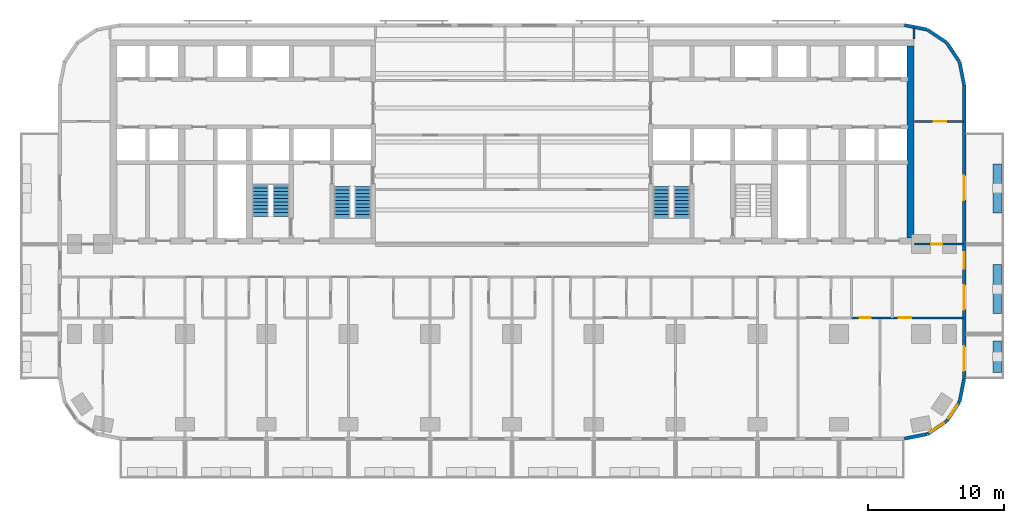
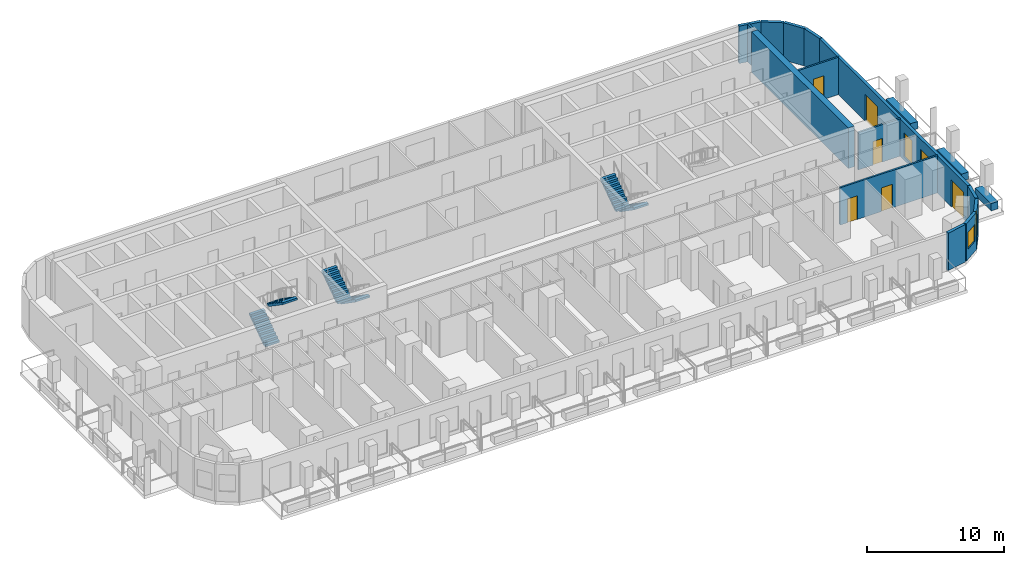
# One storey, part 9 of 15: 17 walls, 7 doors, 6 stair flights, 3 windows, 10 openings, 3 elements without a shape of their own.
"""IFC4 building model written with IfcOpenShell, lengths in metres."""

from ifc_helpers import new_model, si_unit, direction, frame, frame_2d, origin, place, context, subcontext, project, spatial, polyline, rectangle, outline, extrude, material, layer, layer_set, type_object, element, fill, aggregate, save


model = new_model("IFC4")

# Units and contexts
model_context = context("Model", 3, precision=1e-05, world=origin(), true_north=direction((0.0, 1.0)))
body_context = subcontext(model_context, "Body", "Model", "MODEL_VIEW")
ifc_project = project(units=[si_unit("LENGTHUNIT", "METRE"), si_unit("AREAUNIT", "SQUARE_METRE"), si_unit("VOLUMEUNIT", "CUBIC_METRE"), si_unit("PLANEANGLEUNIT", "RADIAN"), si_unit("MASSUNIT", "GRAM", prefix="KILO")], contexts=[model_context])

# Site, building, storey
site_placement = place(None, origin())
site = spatial("IfcSite", under=ifc_project, at=site_placement, CompositionType="ELEMENT")
building_placement = place(site_placement, origin())
building = spatial("IfcBuilding", under=site, at=building_placement, Name="Torana Hotel and Residences", CompositionType="ELEMENT")
storey_placement = place(building_placement, frame((0.0, 0.0, 52.800048828125)))
storey = spatial("IfcBuildingStorey", under=building, at=storey_placement, Name="L12", CompositionType="ELEMENT", Elevation=52.800048828125)

# Walls
ifc_material_1 = material(Name="Concrete C80/95", Category="concrete")
ifc_layer_1 = layer(ifc_material_1, 0.5)
ifc_layer_set_1 = layer_set([ifc_layer_1], Name="CORE WALL 500 C80/95")
wall_type_1 = type_object("IfcWallType", Name="CORE WALL 500 C80/95", PredefinedType="SHEAR", material=ifc_layer_set_1)
wall_1_placement = place(storey_placement, frame((29.25, -14.550048828125, 0.0), z_axis=(0.0, 0.0, 1.0), x_axis=(0.0, 1.0, 0.0)))
element("IfcWall", 1, at=wall_1_placement, inside=storey, type_object=wall_type_1, Name="Core wall E outer", PredefinedType="SHEAR", context=body_context, shape_type="SweptSolid", body=[
    extrude(rectangle(XDim=14.10009765625, YDim=0.5, at=frame_2d((7.050048828125, 0.0))), origin(), (0.0, 0.0, 1.0), 3.599853515625),
])
ifc_material_2 = material(Name="Black aluminium composite panel", Category="aluminium")
ifc_layer_2 = layer(ifc_material_2, 0.00390625, Name="Cladding", Category="cladding")
ifc_material_3 = material(Name="Ventilated air cavity")
ifc_layer_3 = layer(ifc_material_3, 0.0400390625, Name="Ventilated cavity", Category="cavity")
ifc_material_4 = material(Name="Mineral wool insulation")
ifc_layer_4 = layer(ifc_material_4, 0.090087890625, Name="Insulation", Category="insulation")
ifc_material_5 = material(Name="Steel S280GD", Category="steel")
ifc_layer_5 = layer(ifc_material_5, 0.092041015625, Name="Steel stud frame", Category="structure")
ifc_material_6 = material(Name="Fire rated plasterboard")
ifc_layer_6 = layer(ifc_material_6, 0.011962890625, Name="Inner board", Category="finish")
ifc_layer_7 = layer(ifc_material_6, 0.011962890625, Name="Second board", Category="finish")
ifc_layer_set_2 = layer_set([ifc_layer_2, ifc_layer_3, ifc_layer_4, ifc_layer_5, ifc_layer_6, ifc_layer_7], Name="EW1 EXTERNAL WALL BLACK METAL CLAD 250")
wall_type_2 = type_object("IfcWallType", Name="EW1 EXTERNAL WALL BLACK METAL CLAD 250", PredefinedType="SOLIDWALL", material=ifc_layer_set_2)
wall_2_placement = place(storey_placement, frame((33.172607421875, -3.30029296875, 0.0), z_axis=(0.0, 0.0, 1.0), x_axis=(-0.19513878023, 0.980775640221, 0.0)))
element("IfcWall", 2, at=wall_2_placement, inside=storey, type_object=wall_type_2, Name="External wall L12 e0.0", PredefinedType="SOLIDWALL", context=body_context, shape_type="SweptSolid", body=[
    extrude(rectangle(XDim=1.681396484375, YDim=0.25, at=frame_2d((0.8408203125, 0.0))), origin(), (0.0, 0.0, 1.0), 3.320068359375),
])
for number, where, z_axis, x_axis, name in (
    (3, (32.825927734375, -1.60595703125, 0.0), (0.0, 0.0, 1.0), (-0.55555029066, 0.831482937015, 0.0), "External wall L12 e0.1"),
    (4, (31.87109375, -0.1943359375, 0.0), (0.0, 0.0, 1.0), (-0.831482937015, 0.55555029066, 0.0), "External wall L12 e0.2"),
):
    element("IfcWall", number, at=place(storey_placement, frame(where, z_axis=z_axis, x_axis=x_axis)), inside=storey, type_object=wall_type_2, Name=name, PredefinedType="SOLIDWALL", context=body_context, shape_type="SweptSolid", body=[
        extrude(rectangle(XDim=1.65625, YDim=0.25, at=frame_2d((0.828125, 0.0))), origin(), (0.0, 0.0, 1.0), 3.320068359375),
    ])
for number, where, z_axis, x_axis, name in (
    (5, (30.448974609375, 0.74462890625, 0.0), (0.0, 0.0, 1.0), (-0.980803419081, 0.194999110559, 0.0), "External wall L12 e0.3"),
    (6, (28.7998046875, -29.272705078125, 0.0), (0.0, 0.0, 1.0), (0.980775640221, 0.19513878023, 0.0), "External wall L12 e0.15"),
):
    element("IfcWall", number, at=place(storey_placement, frame(where, z_axis=z_axis, x_axis=x_axis)), inside=storey, type_object=wall_type_2, Name=name, PredefinedType="SOLIDWALL", context=body_context, shape_type="SweptSolid", body=[
        extrude(rectangle(XDim=1.681396484375, YDim=0.25, at=frame_2d((0.8408203125, 0.0))), origin(), (0.0, 0.0, 1.0), 3.320068359375),
    ])

# Wall, opening, window
wall_3_placement = place(storey_placement, frame((30.493896484375, -28.92578125, 0.0), z_axis=(0.0, 0.0, 1.0), x_axis=(0.831482937015, 0.55555029066, 0.0)))
wall_3 = element("IfcWall", 7, at=wall_3_placement, inside=storey, type_object=wall_type_2, Name="External wall L12 e0.16", PredefinedType="SOLIDWALL", context=body_context, shape_type="SweptSolid", body=[
    extrude(rectangle(XDim=1.65625, YDim=0.25, at=frame_2d((0.828125, 0.0))), origin(), (0.0, 0.0, 1.0), 3.320068359375),
])
opening_1_placement = place(wall_3_placement, frame((0.228271484375, 0.0, 0.89990234375)))
opening_1 = element("IfcOpeningElement", 8, at=opening_1_placement, cuts=wall_3, Name="Opening W5", PredefinedType="OPENING", context=body_context, shape_type="SweptSolid", body=[
    extrude(rectangle(XDim=1.199951171875, YDim=1.5, at=frame_2d((0.60009765625, 0.75))), frame((0.0, 0.135009765625, 0.0), z_axis=(0.0, -1.0, 0.0), x_axis=(1.0, 0.0, 0.0)), (0.0, 0.0, 1.0), 0.27001953125),
])
ifc_material_7 = material(Name="Dark glass in black aluminium frame", Category="aluminium")
window_type_1 = type_object("IfcWindowType", Name="W5 CORNER FACET WINDOW 1200x1500", PartitioningType="SINGLE_PANEL", PredefinedType="WINDOW", material=ifc_material_7)
window_1_placement = place(opening_1_placement, origin())
window_1 = element("IfcWindow", 9, at=window_1_placement, inside=storey, type_object=window_type_1, Name="Window L12 e0.16", OverallHeight=1.5, OverallWidth=1.199951171875, PartitioningType="SINGLE_PANEL", PredefinedType="WINDOW", context=body_context, shape_type="SweptSolid", body=[
    extrude(rectangle(XDim=1.199951171875, YDim=1.5, at=frame_2d((0.60009765625, 0.75))), frame((0.0, 0.030029296875, 0.0), z_axis=(0.0, -1.0, 0.0), x_axis=(1.0, 0.0, 0.0)), (0.0, 0.0, 1.0), 0.06005859375),
])
fill(opening_1, window_1)

wall_4_placement = place(storey_placement, frame((31.90576171875, -27.97119140625, 0.0), z_axis=(0.0, 0.0, 1.0), x_axis=(0.55555029066, 0.831482937015, 0.0)))
wall_4 = element("IfcWall", 10, at=wall_4_placement, inside=storey, type_object=wall_type_2, Name="External wall L12 e0.17", PredefinedType="SOLIDWALL", context=body_context, shape_type="SweptSolid", body=[
    extrude(rectangle(XDim=1.65625, YDim=0.25, at=frame_2d((0.828125, 0.0))), origin(), (0.0, 0.0, 1.0), 3.320068359375),
])
opening_2_placement = place(wall_4_placement, frame((0.228271484375, 0.0, 0.89990234375)))
opening_2 = element("IfcOpeningElement", 11, at=opening_2_placement, cuts=wall_4, Name="Opening W5", PredefinedType="OPENING", context=body_context, shape_type="SweptSolid", body=[
    extrude(rectangle(XDim=1.199951171875, YDim=1.5, at=frame_2d((0.60009765625, 0.75))), frame((0.0, 0.135009765625, 0.0), z_axis=(0.0, -1.0, 0.0), x_axis=(1.0, 0.0, 0.0)), (0.0, 0.0, 1.0), 0.27001953125),
])
window_2_placement = place(opening_2_placement, origin())
window_2 = element("IfcWindow", 12, at=window_2_placement, inside=storey, type_object=window_type_1, Name="Window L12 e0.17", OverallHeight=1.5, OverallWidth=1.199951171875, PartitioningType="SINGLE_PANEL", PredefinedType="WINDOW", context=body_context, shape_type="SweptSolid", body=[
    extrude(rectangle(XDim=1.199951171875, YDim=1.5, at=frame_2d((0.60009765625, 0.75))), frame((0.0, 0.030029296875, 0.0), z_axis=(0.0, -1.0, 0.0), x_axis=(1.0, 0.0, 0.0)), (0.0, 0.0, 1.0), 0.06005859375),
])
fill(opening_2, window_2)

# Wall
wall_5_placement = place(storey_placement, frame((32.844482421875, -26.548828125, 0.0), z_axis=(0.0, 0.0, 1.0), x_axis=(0.195166572128, 0.980770110232, 0.0)))
element("IfcWall", 13, at=wall_5_placement, inside=storey, type_object=wall_type_2, Name="External wall L12 e0.18", PredefinedType="SOLIDWALL", context=body_context, shape_type="SweptSolid", body=[
    extrude(rectangle(XDim=1.68115234375, YDim=0.25, at=frame_2d((0.840576171875, 0.0))), origin(), (0.0, 0.0, 1.0), 3.320068359375),
])

# Wall, openings, doors, window
wall_6_placement = place(storey_placement, frame((33.175048828125, -24.87548828125, 0.0), z_axis=(0.0, 0.0, 1.0), x_axis=(0.0, 1.0, 0.0)))
wall_6 = element("IfcWall", 14, at=wall_6_placement, inside=storey, type_object=wall_type_2, Name="External wall L12 e0.19", PredefinedType="SOLIDWALL", context=body_context, shape_type="SweptSolid", body=[
    extrude(rectangle(XDim=21.55078125, YDim=0.25, at=frame_2d((10.775390625, 0.0))), origin(), (0.0, 0.0, 1.0), 3.320068359375),
])
opening_3_placement = place(wall_6_placement, frame((0.575439453125, 0.0, 0.0)))
opening_3 = element("IfcOpeningElement", 15, at=opening_3_placement, cuts=wall_6, Name="Opening L12-E11", PredefinedType="OPENING", context=body_context, shape_type="SweptSolid", body=[
    extrude(rectangle(XDim=1.800048828125, YDim=2.39990234375, at=frame_2d((0.89990234375, 1.199951171875))), frame((0.0, 0.135009765625, 0.0), z_axis=(0.0, -1.0, 0.0), x_axis=(1.0, 0.0, 0.0)), (0.0, 0.0, 1.0), 0.27001953125),
])
opening_4_placement = place(wall_6_placement, frame((5.075439453125, 0.0, 0.0)))
opening_4 = element("IfcOpeningElement", 16, at=opening_4_placement, cuts=wall_6, Name="Opening L12-E12", PredefinedType="OPENING", context=body_context, shape_type="SweptSolid", body=[
    extrude(rectangle(XDim=1.800048828125, YDim=2.39990234375, at=frame_2d((0.89990234375, 1.199951171875))), frame((0.0, 0.135009765625, 0.0), z_axis=(0.0, -1.0, 0.0), x_axis=(1.0, 0.0, 0.0)), (0.0, 0.0, 1.0), 0.27001953125),
])
opening_5_placement = place(wall_6_placement, frame((8.075439453125, 0.0, 0.300048828125)))
opening_5 = element("IfcOpeningElement", 17, at=opening_5_placement, cuts=wall_6, Name="Opening W7", PredefinedType="OPENING", context=body_context, shape_type="SweptSolid", body=[
    extrude(rectangle(XDim=1.199951171875, YDim=2.10009765625, at=frame_2d((0.60009765625, 1.050048828125))), frame((0.0, 0.135009765625, 0.0), z_axis=(0.0, -1.0, 0.0), x_axis=(1.0, 0.0, 0.0)), (0.0, 0.0, 1.0), 0.27001953125),
])
opening_6_placement = place(wall_6_placement, frame((13.100341796875, 0.0, 0.0)))
opening_6 = element("IfcOpeningElement", 18, at=opening_6_placement, cuts=wall_6, Name="Opening L12-E13", PredefinedType="OPENING", context=body_context, shape_type="SweptSolid", body=[
    extrude(rectangle(XDim=1.800048828125, YDim=2.39990234375, at=frame_2d((0.89990234375, 1.199951171875))), frame((0.0, 0.135009765625, 0.0), z_axis=(0.0, -1.0, 0.0), x_axis=(1.0, 0.0, 0.0)), (0.0, 0.0, 1.0), 0.27001953125),
])
ifc_material_8 = material(Name="Dark glass in black aluminium frame", Category="aluminium")
door_type_1 = type_object("IfcDoorType", Name="DB1 BALCONY DOOR 1800x2400", OperationType="DOUBLE_DOOR_SINGLE_SWING", PredefinedType="DOOR", material=ifc_material_8)
door_1_placement = place(opening_3_placement, origin())
door_1 = element("IfcDoor", 19, at=door_1_placement, inside=storey, type_object=door_type_1, Name="Balcony door L12", OperationType="DOUBLE_DOOR_SINGLE_SWING", OverallHeight=2.39990234375, OverallWidth=1.800048828125, PredefinedType="DOOR", context=body_context, shape_type="SweptSolid", body=[
    extrude(rectangle(XDim=1.800048828125, YDim=2.39990234375, at=frame_2d((0.89990234375, 1.199951171875))), frame((0.0, 0.02490234375, 0.0), z_axis=(0.0, -1.0, 0.0), x_axis=(1.0, 0.0, 0.0)), (0.0, 0.0, 1.0), 0.050048828125),
])
fill(opening_3, door_1)
door_2_placement = place(opening_4_placement, origin())
door_2 = element("IfcDoor", 20, at=door_2_placement, inside=storey, type_object=door_type_1, Name="Balcony door L12", OperationType="DOUBLE_DOOR_SINGLE_SWING", OverallHeight=2.39990234375, OverallWidth=1.800048828125, PredefinedType="DOOR", context=body_context, shape_type="SweptSolid", body=[
    extrude(rectangle(XDim=1.800048828125, YDim=2.39990234375, at=frame_2d((0.89990234375, 1.199951171875))), frame((0.0, 0.02490234375, 0.0), z_axis=(0.0, -1.0, 0.0), x_axis=(1.0, 0.0, 0.0)), (0.0, 0.0, 1.0), 0.050048828125),
])
fill(opening_4, door_2)
door_3_placement = place(opening_6_placement, origin())
door_3 = element("IfcDoor", 21, at=door_3_placement, inside=storey, type_object=door_type_1, Name="Balcony door L12", OperationType="DOUBLE_DOOR_SINGLE_SWING", OverallHeight=2.39990234375, OverallWidth=1.800048828125, PredefinedType="DOOR", context=body_context, shape_type="SweptSolid", body=[
    extrude(rectangle(XDim=1.800048828125, YDim=2.39990234375, at=frame_2d((0.89990234375, 1.199951171875))), frame((0.0, 0.02490234375, 0.0), z_axis=(0.0, -1.0, 0.0), x_axis=(1.0, 0.0, 0.0)), (0.0, 0.0, 1.0), 0.050048828125),
])
fill(opening_6, door_3)
ifc_material_9 = material(Name="Dark glass in black aluminium frame", Category="aluminium")
window_type_2 = type_object("IfcWindowType", Name="W7 HOTEL CORRIDOR WINDOW 1200x2100", PartitioningType="SINGLE_PANEL", PredefinedType="WINDOW", material=ifc_material_9)
window_3_placement = place(opening_5_placement, origin())
window_3 = element("IfcWindow", 22, at=window_3_placement, inside=storey, type_object=window_type_2, Name="Window L12", OverallHeight=2.10009765625, OverallWidth=1.199951171875, PartitioningType="SINGLE_PANEL", PredefinedType="WINDOW", context=body_context, shape_type="SweptSolid", body=[
    extrude(rectangle(XDim=1.199951171875, YDim=2.10009765625, at=frame_2d((0.60009765625, 1.050048828125))), frame((0.0, 0.030029296875, 0.0), z_axis=(0.0, -1.0, 0.0), x_axis=(1.0, 0.0, 0.0)), (0.0, 0.0, 1.0), 0.06005859375),
])
fill(opening_5, window_3)

# Wall, opening, door
ifc_material_10 = material(Name="Gypsum plaster")
ifc_layer_8 = layer(ifc_material_10, 0.014892578125, Name="Plaster", Category="finish")
ifc_material_11 = material(Name="Concrete blockwork", Category="masonry")
ifc_layer_9 = layer(ifc_material_11, 0.1201171875, Name="Blockwork", Category="structure")
ifc_layer_10 = layer(ifc_material_10, 0.014892578125, Name="Plaster", Category="finish")
ifc_layer_set_3 = layer_set([ifc_layer_8, ifc_layer_9, ifc_layer_10], Name="FIRE PARTITION 150 BLOCKWORK")
wall_type_3 = type_object("IfcWallType", Name="FIRE PARTITION 150 BLOCKWORK", PredefinedType="PARTITIONING", material=ifc_layer_set_3)
wall_7_placement = place(storey_placement, frame((29.550048828125, -15.0, 0.0), z_axis=(0.0, 0.0, 1.0), x_axis=(1.0, 0.0, 0.0)))
wall_7 = element("IfcWall", 23, at=wall_7_placement, inside=storey, type_object=wall_type_3, Name="Partition L12", PredefinedType="PARTITIONING", context=body_context, shape_type="SweptSolid", body=[
    extrude(rectangle(XDim=3.570068359375, YDim=0.14990234375, at=frame_2d((1.78515625, 0.0))), origin(), (0.0, 0.0, 1.0), 3.320068359375),
])
opening_7_placement = place(wall_7_placement, frame((1.205078125, 0.0, 0.0)))
opening_7 = element("IfcOpeningElement", 24, at=opening_7_placement, cuts=wall_7, Name="Opening L12-48", PredefinedType="OPENING", context=body_context, shape_type="SweptSolid", body=[
    extrude(rectangle(XDim=0.800048828125, YDim=2.10009765625, at=frame_2d((0.39990234375, 1.050048828125))), frame((0.0, 0.0849609375, 0.0), z_axis=(0.0, -1.0, 0.0), x_axis=(1.0, 0.0, 0.0)), (0.0, 0.0, 1.0), 0.169921875),
])
ifc_material_12 = material(Name="Steel S235", Category="steel")
door_type_2 = type_object("IfcDoorType", Name="STORE FIRE DOOR D16 800x2100", OperationType="SINGLE_SWING_LEFT", PredefinedType="DOOR", material=ifc_material_12)
door_4_placement = place(opening_7_placement, origin())
door_4 = element("IfcDoor", 25, at=door_4_placement, inside=storey, type_object=door_type_2, Name="Door L12", OperationType="SINGLE_SWING_RIGHT", OverallHeight=2.10009765625, OverallWidth=0.800048828125, PredefinedType="DOOR", context=body_context, shape_type="SweptSolid", body=[
    extrude(rectangle(XDim=0.800048828125, YDim=2.10009765625, at=frame_2d((0.39990234375, 1.050048828125))), frame((0.0, 0.02490234375, 0.0), z_axis=(0.0, -1.0, 0.0), x_axis=(1.0, 0.0, 0.0)), (0.0, 0.0, 1.0), 0.050048828125),
])
fill(opening_7, door_4)

# Wall
ifc_material_13 = material(Name="Gypsum plasterboard")
ifc_layer_11 = layer(ifc_material_13, 0.012451171875, Name="Plasterboard", Category="finish")
ifc_layer_12 = layer(ifc_material_13, 0.012451171875, Name="Plasterboard", Category="finish")
ifc_layer_13 = layer(ifc_material_5, 0.10009765625, Name="Steel studs with mineral wool", Category="insulation")
ifc_layer_14 = layer(ifc_material_13, 0.012451171875, Name="Plasterboard", Category="finish")
ifc_layer_15 = layer(ifc_material_13, 0.012451171875, Name="Plasterboard", Category="finish")
ifc_layer_set_4 = layer_set([ifc_layer_11, ifc_layer_12, ifc_layer_13, ifc_layer_14, ifc_layer_15], Name="PARTITION 150 PLASTERBOARD")
wall_type_4 = type_object("IfcWallType", Name="PARTITION 150 PLASTERBOARD", PredefinedType="PARTITIONING", material=ifc_layer_set_4)
wall_8_placement = place(storey_placement, frame((29.5, 0.050048828125, 0.0), z_axis=(0.0, 0.0, 1.0), x_axis=(0.0, 1.0, 0.0)))
element("IfcWall", 26, at=wall_8_placement, inside=storey, type_object=wall_type_4, Name="Partition L12", PredefinedType="PARTITIONING", context=body_context, shape_type="SweptSolid", body=[
    extrude(rectangle(XDim=0.8271484375, YDim=0.14990234375, at=frame_2d((0.41357421875, 0.0))), origin(), (0.0, 0.0, 1.0), 3.320068359375),
])

# Wall, openings, doors
wall_9_placement = place(storey_placement, frame((24.89990234375, -20.39990234375, 0.0), z_axis=(0.0, 0.0, 1.0), x_axis=(1.0, 0.0, 0.0)))
wall_9 = element("IfcWall", 27, at=wall_9_placement, inside=storey, type_object=wall_type_4, Name="Partition L12", PredefinedType="PARTITIONING", context=body_context, shape_type="SweptSolid", body=[
    extrude(rectangle(XDim=8.22021484375, YDim=0.14990234375, at=frame_2d((4.110107421875, 0.0))), origin(), (0.0, 0.0, 1.0), 3.320068359375),
])
opening_8_placement = place(wall_9_placement, frame((0.6298828125, 0.0, 0.0)))
opening_8 = element("IfcOpeningElement", 28, at=opening_8_placement, cuts=wall_9, Name="Opening L12-80", PredefinedType="OPENING", context=body_context, shape_type="SweptSolid", body=[
    extrude(rectangle(XDim=0.800048828125, YDim=2.10009765625, at=frame_2d((0.39990234375, 1.050048828125))), frame((0.0, 0.0849609375, 0.0), z_axis=(0.0, -1.0, 0.0), x_axis=(1.0, 0.0, 0.0)), (0.0, 0.0, 1.0), 0.169921875),
])
opening_9_placement = place(wall_9_placement, frame((3.47998046875, 0.0, 0.0)))
opening_9 = element("IfcOpeningElement", 29, at=opening_9_placement, cuts=wall_9, Name="Opening L12-81", PredefinedType="OPENING", context=body_context, shape_type="SweptSolid", body=[
    extrude(rectangle(XDim=0.89990234375, YDim=2.10009765625, at=frame_2d((0.449951171875, 1.050048828125))), frame((0.0, 0.0849609375, 0.0), z_axis=(0.0, -1.0, 0.0), x_axis=(1.0, 0.0, 0.0)), (0.0, 0.0, 1.0), 0.169921875),
])
ifc_material_14 = material(Name="Timber door, painted", Category="wood")
door_type_3 = type_object("IfcDoorType", Name="BATH DOOR D13 800x2100", OperationType="SINGLE_SWING_LEFT", PredefinedType="DOOR", material=ifc_material_14)
door_5_placement = place(opening_8_placement, origin())
door_5 = element("IfcDoor", 30, at=door_5_placement, inside=storey, type_object=door_type_3, Name="Door L12", OperationType="SINGLE_SWING_RIGHT", OverallHeight=2.10009765625, OverallWidth=0.800048828125, PredefinedType="DOOR", context=body_context, shape_type="SweptSolid", body=[
    extrude(rectangle(XDim=0.800048828125, YDim=2.10009765625, at=frame_2d((0.39990234375, 1.050048828125))), frame((0.0, 0.02490234375, 0.0), z_axis=(0.0, -1.0, 0.0), x_axis=(1.0, 0.0, 0.0)), (0.0, 0.0, 1.0), 0.050048828125),
])
fill(opening_8, door_5)
ifc_material_15 = material(Name="Timber door, oiled ash", Category="wood")
door_type_4 = type_object("IfcDoorType", Name="ROOM DOOR D7 900x2100", OperationType="SINGLE_SWING_LEFT", PredefinedType="DOOR", material=ifc_material_15)
door_6_placement = place(opening_9_placement, origin())
door_6 = element("IfcDoor", 31, at=door_6_placement, inside=storey, type_object=door_type_4, Name="Door L12", OperationType="SINGLE_SWING_RIGHT", OverallHeight=2.10009765625, OverallWidth=0.89990234375, PredefinedType="DOOR", context=body_context, shape_type="SweptSolid", body=[
    extrude(rectangle(XDim=0.89990234375, YDim=2.10009765625, at=frame_2d((0.449951171875, 1.050048828125))), frame((0.0, 0.02490234375, 0.0), z_axis=(0.0, -1.0, 0.0), x_axis=(1.0, 0.0, 0.0)), (0.0, 0.0, 1.0), 0.050048828125),
])
fill(opening_9, door_6)

# Wall, opening, door
wall_10_placement = place(storey_placement, frame((29.550048828125, -6.0, 0.0), z_axis=(0.0, 0.0, 1.0), x_axis=(1.0, 0.0, 0.0)))
wall_10 = element("IfcWall", 32, at=wall_10_placement, inside=storey, type_object=wall_type_4, Name="Partition L12", PredefinedType="PARTITIONING", context=body_context, shape_type="SweptSolid", body=[
    extrude(rectangle(XDim=3.570068359375, YDim=0.14990234375, at=frame_2d((1.78515625, 0.0))), origin(), (0.0, 0.0, 1.0), 3.320068359375),
])
opening_10_placement = place(wall_10_placement, frame((1.39990234375, 0.0, 0.0)))
opening_10 = element("IfcOpeningElement", 33, at=opening_10_placement, cuts=wall_10, Name="Opening L12-84", PredefinedType="OPENING", context=body_context, shape_type="SweptSolid", body=[
    extrude(rectangle(XDim=0.89990234375, YDim=2.10009765625, at=frame_2d((0.449951171875, 1.050048828125))), frame((0.0, 0.0849609375, 0.0), z_axis=(0.0, -1.0, 0.0), x_axis=(1.0, 0.0, 0.0)), (0.0, 0.0, 1.0), 0.169921875),
])
door_7_placement = place(opening_10_placement, origin())
door_7 = element("IfcDoor", 34, at=door_7_placement, inside=storey, type_object=door_type_4, Name="Door L12", OperationType="SINGLE_SWING_LEFT", OverallHeight=2.10009765625, OverallWidth=0.89990234375, PredefinedType="DOOR", context=body_context, shape_type="SweptSolid", body=[
    extrude(rectangle(XDim=0.89990234375, YDim=2.10009765625, at=frame_2d((0.449951171875, 1.050048828125))), frame((0.0, 0.02490234375, 0.0), z_axis=(0.0, -1.0, 0.0), x_axis=(1.0, 0.0, 0.0)), (0.0, 0.0, 1.0), 0.050048828125),
])
fill(opening_10, door_7)

# Walls
ifc_material_16 = material(Name="Concrete C40/50 precast", Category="concrete")
ifc_layer_16 = layer(ifc_material_16, 0.10009765625, Name="Planter shell", Category="structure")
ifc_material_17 = material(Name="Root resistant membrane")
ifc_layer_17 = layer(ifc_material_17, 0.00390625, Name="Waterproofing membrane", Category="membrane")
ifc_material_18 = material(Name="Drainage board with filter fleece")
ifc_layer_18 = layer(ifc_material_18, 0.02001953125, Name="Drainage board", Category="drainage")
ifc_material_19 = material(Name="Growing medium")
ifc_layer_19 = layer(ifc_material_19, 0.47607421875, Name="Planting substrate", Category="soil")
ifc_layer_set_5 = layer_set([ifc_layer_16, ifc_layer_17, ifc_layer_18, ifc_layer_19], Name="PL1 BALCONY PLANTER 600")
wall_type_5 = type_object("IfcWallType", Name="PL1 BALCONY PLANTER 600", PredefinedType="USERDEFINED", material=ifc_layer_set_5)
wall_11_placement = place(storey_placement, frame((35.60009765625, -22.10009765625, 0.0), z_axis=(0.0, 0.0, 1.0), x_axis=(0.0, -1.0, 0.0)))
element("IfcWall", 35, at=wall_11_placement, inside=storey, type_object=wall_type_5, Name="Planter 14", ObjectType="PLANTER", PredefinedType="USERDEFINED", context=body_context, shape_type="SweptSolid", body=[
    extrude(rectangle(XDim=2.2998046875, YDim=0.60009765625, at=frame_2d((1.14990234375, 0.0))), origin(), (0.0, 0.0, 1.0), 0.64990234375),
])
wall_12_placement = place(storey_placement, frame((35.60009765625, -16.5, 0.0), z_axis=(0.0, 0.0, 1.0), x_axis=(0.0, -1.0, 0.0)))
element("IfcWall", 36, at=wall_12_placement, inside=storey, type_object=wall_type_5, Name="Planter 15", ObjectType="PLANTER", PredefinedType="USERDEFINED", context=body_context, shape_type="SweptSolid", body=[
    extrude(rectangle(XDim=3.60009765625, YDim=0.60009765625, at=frame_2d((1.800048828125, 0.0))), origin(), (0.0, 0.0, 1.0), 0.64990234375),
])
wall_13_placement = place(storey_placement, frame((35.60009765625, -9.10009765625, 0.0), z_axis=(0.0, 0.0, 1.0), x_axis=(0.0, -1.0, 0.0)))
element("IfcWall", 37, at=wall_13_placement, inside=storey, type_object=wall_type_5, Name="Planter 16", ObjectType="PLANTER", PredefinedType="USERDEFINED", context=body_context, shape_type="SweptSolid", body=[
    extrude(rectangle(XDim=3.599853515625, YDim=0.60009765625, at=frame_2d((1.7998046875, 0.0))), origin(), (0.0, 0.0, 1.0), 0.64990234375),
])

# Stair, stair flights
ifc_material_20 = material(Name="Concrete C40/50 precast", Category="concrete")
stair_type_1 = type_object("IfcStairType", Name="STAIR ST1 HALF TURN 1200", PredefinedType="HALF_TURN_STAIR", material=ifc_material_20)
stair_1_placement = place(storey_placement, origin())
stair_1 = element("IfcStair", 38, at=stair_1_placement, inside=storey, type_object=stair_type_1, Name="Stair ST1 L12", PredefinedType="HALF_TURN_STAIR")
ifc_material_21 = material(Name="Concrete C40/50 precast", Category="concrete")
stair_flight_type = type_object("IfcStairFlightType", Name="STAIR FLIGHT 1200 PRECAST", PredefinedType="STRAIGHT", material=ifc_material_21)
stair_flight_1_placement = place(storey_placement, frame((-10.949951171875, -10.75, 0.0), z_axis=(0.0, 0.0, 1.0), x_axis=(0.0, -1.0, 0.0)))
stair_flight_1 = element("IfcStairFlight", 39, at=stair_flight_1_placement, type_object=stair_flight_type, Name="ST1 flight 1", NumberOfRisers=10, NumberOfTreads=9, PredefinedType="STRAIGHT", RiserHeight=0.18, TreadLength=0.26, context=body_context, shape_type="SweptSolid", body=[
    extrude(outline(polyline([(0.0, 0.0), (0.0, 0.179931640625), (0.260009765625, 0.179931640625), (0.260009765625, 0.360107421875), (0.52001953125, 0.360107421875), (0.52001953125, 0.5400390625), (0.780029296875, 0.5400390625), (0.780029296875, 0.719970703125), (1.0400390625, 0.719970703125), (1.0400390625, 0.89990234375), (1.300048828125, 0.89990234375), (1.300048828125, 1.080078125), (1.56005859375, 1.080078125), (1.56005859375, 1.260009765625), (1.820068359375, 1.260009765625), (1.820068359375, 1.43994140625), (2.080078125, 1.43994140625), (2.080078125, 1.6201171875), (2.340087890625, 1.6201171875), (2.340087890625, 1.800048828125), (2.340087890625, 1.437744140625), (0.263427734375, 0.0), (0.0, 0.0)])), frame((0.0, 0.60009765625, 0.0), z_axis=(0.0, -1.0, 0.0), x_axis=(1.0, 0.0, 0.0)), (0.0, 0.0, 1.0), 1.199951171875),
])
stair_flight_2_placement = place(storey_placement, frame((-12.449951171875, -13.090087890625, 1.800048828125), z_axis=(0.0, 0.0, 1.0), x_axis=(0.0, 1.0, 0.0)))
stair_flight_2 = element("IfcStairFlight", 40, at=stair_flight_2_placement, type_object=stair_flight_type, Name="ST1 flight 2", NumberOfRisers=10, NumberOfTreads=9, PredefinedType="STRAIGHT", RiserHeight=0.18, TreadLength=0.26, context=body_context, shape_type="SweptSolid", body=[
    extrude(outline(polyline([(0.0, 0.0), (0.0, 0.179931640625), (0.260009765625, 0.179931640625), (0.260009765625, 0.360107421875), (0.52001953125, 0.360107421875), (0.52001953125, 0.5400390625), (0.780029296875, 0.5400390625), (0.780029296875, 0.719970703125), (1.0400390625, 0.719970703125), (1.0400390625, 0.89990234375), (1.300048828125, 0.89990234375), (1.300048828125, 1.080078125), (1.56005859375, 1.080078125), (1.56005859375, 1.260009765625), (1.820068359375, 1.260009765625), (1.820068359375, 1.43994140625), (2.080078125, 1.43994140625), (2.080078125, 1.6201171875), (2.340087890625, 1.6201171875), (2.340087890625, 1.800048828125), (2.340087890625, 1.437744140625), (0.263427734375, 0.0), (0.0, 0.0)])), frame((0.0, 0.60009765625, 0.0), z_axis=(0.0, -1.0, 0.0), x_axis=(1.0, 0.0, 0.0)), (0.0, 0.0, 1.0), 1.199951171875),
])
aggregate(stair_1, [stair_flight_1, stair_flight_2])

ifc_material_22 = material(Name="Concrete C40/50 precast", Category="concrete")
stair_type_2 = type_object("IfcStairType", Name="STAIR ST2 HALF TURN 1200", PredefinedType="HALF_TURN_STAIR", material=ifc_material_22)
stair_2_placement = place(storey_placement, origin())
stair_2 = element("IfcStair", 41, at=stair_2_placement, inside=storey, type_object=stair_type_2, Name="Stair ST2 L12", PredefinedType="HALF_TURN_STAIR")
stair_flight_3_placement = place(storey_placement, frame((-18.449951171875, -12.949951171875, 0.0), z_axis=(0.0, 0.0, 1.0), x_axis=(0.0, 1.0, 0.0)))
stair_flight_3 = element("IfcStairFlight", 42, at=stair_flight_3_placement, type_object=stair_flight_type, Name="ST2 flight 1", NumberOfRisers=10, NumberOfTreads=9, PredefinedType="STRAIGHT", RiserHeight=0.18, TreadLength=0.26, context=body_context, shape_type="SweptSolid", body=[
    extrude(outline(polyline([(0.0, 0.0), (0.0, 0.179931640625), (0.260009765625, 0.179931640625), (0.260009765625, 0.360107421875), (0.52001953125, 0.360107421875), (0.52001953125, 0.5400390625), (0.780029296875, 0.5400390625), (0.780029296875, 0.719970703125), (1.0400390625, 0.719970703125), (1.0400390625, 0.89990234375), (1.300048828125, 0.89990234375), (1.300048828125, 1.080078125), (1.56005859375, 1.080078125), (1.56005859375, 1.260009765625), (1.820068359375, 1.260009765625), (1.820068359375, 1.43994140625), (2.080078125, 1.43994140625), (2.080078125, 1.6201171875), (2.340087890625, 1.6201171875), (2.340087890625, 1.800048828125), (2.340087890625, 1.437744140625), (0.263427734375, 0.0), (0.0, 0.0)])), frame((0.0, 0.60009765625, 0.0), z_axis=(0.0, -1.0, 0.0), x_axis=(1.0, 0.0, 0.0)), (0.0, 0.0, 1.0), 1.199951171875),
])
stair_flight_4_placement = place(storey_placement, frame((-16.949951171875, -10.610107421875, 1.800048828125), z_axis=(0.0, 0.0, 1.0), x_axis=(0.0, -1.0, 0.0)))
stair_flight_4 = element("IfcStairFlight", 43, at=stair_flight_4_placement, type_object=stair_flight_type, Name="ST2 flight 2", NumberOfRisers=10, NumberOfTreads=9, PredefinedType="STRAIGHT", RiserHeight=0.18, TreadLength=0.26, context=body_context, shape_type="SweptSolid", body=[
    extrude(outline(polyline([(0.0, 0.0), (0.0, 0.179931640625), (0.260009765625, 0.179931640625), (0.260009765625, 0.360107421875), (0.52001953125, 0.360107421875), (0.52001953125, 0.5400390625), (0.780029296875, 0.5400390625), (0.780029296875, 0.719970703125), (1.0400390625, 0.719970703125), (1.0400390625, 0.89990234375), (1.300048828125, 0.89990234375), (1.300048828125, 1.080078125), (1.56005859375, 1.080078125), (1.56005859375, 1.260009765625), (1.820068359375, 1.260009765625), (1.820068359375, 1.43994140625), (2.080078125, 1.43994140625), (2.080078125, 1.6201171875), (2.340087890625, 1.6201171875), (2.340087890625, 1.800048828125), (2.340087890625, 1.437744140625), (0.263427734375, 0.0), (0.0, 0.0)])), frame((0.0, 0.60009765625, 0.0), z_axis=(0.0, -1.0, 0.0), x_axis=(1.0, 0.0, 0.0)), (0.0, 0.0, 1.0), 1.199951171875),
])
aggregate(stair_2, [stair_flight_3, stair_flight_4])

ifc_material_23 = material(Name="Concrete C40/50 precast", Category="concrete")
stair_type_3 = type_object("IfcStairType", Name="STAIR ST3 HALF TURN 1200", PredefinedType="HALF_TURN_STAIR", material=ifc_material_23)
stair_3_placement = place(storey_placement, origin())
stair_3 = element("IfcStair", 44, at=stair_3_placement, inside=storey, type_object=stair_type_3, Name="Stair ST3 L12", PredefinedType="HALF_TURN_STAIR")
stair_flight_5_placement = place(storey_placement, frame((12.449951171875, -10.75, 0.0), z_axis=(0.0, 0.0, 1.0), x_axis=(0.0, -1.0, 0.0)))
stair_flight_5 = element("IfcStairFlight", 45, at=stair_flight_5_placement, type_object=stair_flight_type, Name="ST3 flight 1", NumberOfRisers=10, NumberOfTreads=9, PredefinedType="STRAIGHT", RiserHeight=0.18, TreadLength=0.26, context=body_context, shape_type="SweptSolid", body=[
    extrude(outline(polyline([(0.0, 0.0), (0.0, 0.179931640625), (0.260009765625, 0.179931640625), (0.260009765625, 0.360107421875), (0.52001953125, 0.360107421875), (0.52001953125, 0.5400390625), (0.780029296875, 0.5400390625), (0.780029296875, 0.719970703125), (1.0400390625, 0.719970703125), (1.0400390625, 0.89990234375), (1.300048828125, 0.89990234375), (1.300048828125, 1.080078125), (1.56005859375, 1.080078125), (1.56005859375, 1.260009765625), (1.820068359375, 1.260009765625), (1.820068359375, 1.43994140625), (2.080078125, 1.43994140625), (2.080078125, 1.6201171875), (2.340087890625, 1.6201171875), (2.340087890625, 1.800048828125), (2.340087890625, 1.437744140625), (0.263427734375, 0.0), (0.0, 0.0)])), frame((0.0, 0.60009765625, 0.0), z_axis=(0.0, -1.0, 0.0), x_axis=(1.0, 0.0, 0.0)), (0.0, 0.0, 1.0), 1.199951171875),
])
stair_flight_6_placement = place(storey_placement, frame((10.949951171875, -13.090087890625, 1.800048828125), z_axis=(0.0, 0.0, 1.0), x_axis=(0.0, 1.0, 0.0)))
stair_flight_6 = element("IfcStairFlight", 46, at=stair_flight_6_placement, type_object=stair_flight_type, Name="ST3 flight 2", NumberOfRisers=10, NumberOfTreads=9, PredefinedType="STRAIGHT", RiserHeight=0.18, TreadLength=0.26, context=body_context, shape_type="SweptSolid", body=[
    extrude(outline(polyline([(0.0, 0.0), (0.0, 0.179931640625), (0.260009765625, 0.179931640625), (0.260009765625, 0.360107421875), (0.52001953125, 0.360107421875), (0.52001953125, 0.5400390625), (0.780029296875, 0.5400390625), (0.780029296875, 0.719970703125), (1.0400390625, 0.719970703125), (1.0400390625, 0.89990234375), (1.300048828125, 0.89990234375), (1.300048828125, 1.080078125), (1.56005859375, 1.080078125), (1.56005859375, 1.260009765625), (1.820068359375, 1.260009765625), (1.820068359375, 1.43994140625), (2.080078125, 1.43994140625), (2.080078125, 1.6201171875), (2.340087890625, 1.6201171875), (2.340087890625, 1.800048828125), (2.340087890625, 1.437744140625), (0.263427734375, 0.0), (0.0, 0.0)])), frame((0.0, 0.60009765625, 0.0), z_axis=(0.0, -1.0, 0.0), x_axis=(1.0, 0.0, 0.0)), (0.0, 0.0, 1.0), 1.199951171875),
])
aggregate(stair_3, [stair_flight_5, stair_flight_6])

save(model, "model.ifc")
